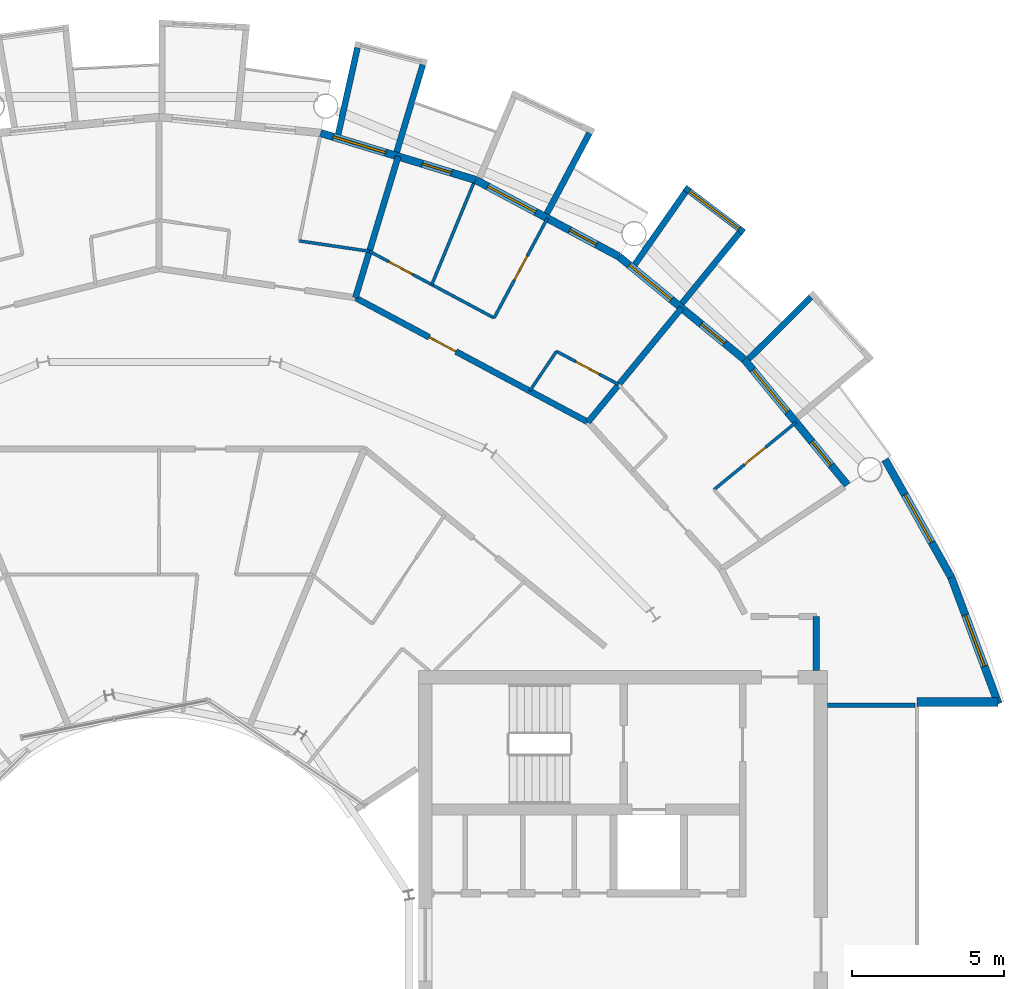
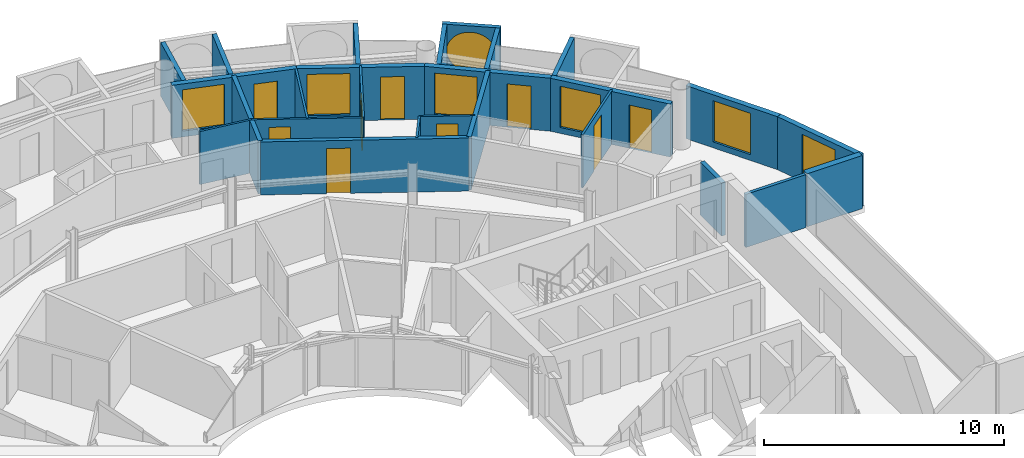
# One storey, part 24 of 29: 26 walls, 9 doors, 7 windows, 16 openings.
"""IFC4 building model written with IfcOpenShell, lengths in metres."""

from ifc_helpers import new_model, si_unit, direction, frame, frame_2d, origin, place, context, subcontext, project, spatial, rectangle, circle, extrude, material, layer, layer_set, type_object, element, fill, save


model = new_model("IFC4")

# Units and contexts
model_context = context("Model", 3, precision=1e-05, world=origin(), true_north=direction((0.0, 1.0)))
body_context = subcontext(model_context, "Body", "Model", "MODEL_VIEW")
ifc_project = project(units=[si_unit("LENGTHUNIT", "METRE"), si_unit("AREAUNIT", "SQUARE_METRE"), si_unit("VOLUMEUNIT", "CUBIC_METRE"), si_unit("PLANEANGLEUNIT", "RADIAN"), si_unit("MASSUNIT", "GRAM", prefix="KILO")], contexts=[model_context])

# Site, building, storey
site_placement = place(None, origin())
site = spatial("IfcSite", under=ifc_project, at=site_placement, CompositionType="ELEMENT")
building_placement = place(site_placement, origin())
building = spatial("IfcBuilding", under=site, at=building_placement, Name="Maasbend Ring Residences", CompositionType="ELEMENT")
storey_placement = place(building_placement, frame((0.0, 0.0, 212.699951171875)))
storey = spatial("IfcBuildingStorey", under=building, at=storey_placement, Name="L61", CompositionType="ELEMENT", Elevation=212.699951171875)

# Wall
ifc_material_1 = material(Name="Concrete C30/37", Category="concrete")
ifc_layer_1 = layer(ifc_material_1, 0.199951171875)
ifc_layer_set_1 = layer_set([ifc_layer_1], Name="Concrete C30/37")
wall_type_1 = type_object("IfcWallType", Name="CORRIDOR WALL 200 CONCRETE", PredefinedType="PARTITIONING", material=ifc_layer_set_1)
wall_1_placement = place(storey_placement, frame((21.675048828125, 9.050048828125, 0.0), z_axis=(0.0, 0.0, 1.0), x_axis=(0.0, 1.0, 0.0)))
element("IfcWall", 1, at=wall_1_placement, inside=storey, type_object=wall_type_1, Name="U-L61-w018", PredefinedType="PARTITIONING", context=body_context, shape_type="SweptSolid", body=[
    extrude(rectangle(XDim=1.77490234375, YDim=0.199951171875, at=frame_2d((0.887451171875, 0.0))), origin(), (0.0, 0.0, 1.0), 2.699951171875),
])

# Wall, opening, door
wall_2_placement = place(storey_placement, frame((6.472900390625, 21.340087890625, 0.0), z_axis=(0.0, 0.0, 1.0), x_axis=(0.881912965532, -0.471412262491, 0.0)))
wall_2 = element("IfcWall", 2, at=wall_2_placement, inside=storey, type_object=wall_type_1, Name="U-L61-w114", PredefinedType="PARTITIONING", context=body_context, shape_type="SweptSolid", body=[
    extrude(rectangle(XDim=8.70166015625, YDim=0.199951171875, at=frame_2d((4.350830078125, 0.0))), origin(), (0.0, 0.0, 1.0), 2.699951171875),
])
opening_1_placement = place(wall_2_placement, frame((2.763916015625, 0.0, 0.0)))
opening_1 = element("IfcOpeningElement", 3, at=opening_1_placement, cuts=wall_2, Name="Opening D-6104", PredefinedType="OPENING", context=body_context, shape_type="SweptSolid", body=[
    extrude(rectangle(XDim=1.0, YDim=2.300048828125, at=frame_2d((0.5, 1.14990234375))), frame((0.0, 0.10986328125, 0.0), z_axis=(0.0, -1.0, 0.0), x_axis=(1.0, 0.0, 0.0)), (0.0, 0.0, 1.0), 0.219970703125),
])
ifc_material_2 = material(Name="Timber, fire-rated, painted", Category="wood")
door_type_1 = type_object("IfcDoorType", Name="FLAT ENTRANCE DOOR 1000 X 2300 FIRE-RATED", OperationType="NOTDEFINED", PredefinedType="DOOR", material=ifc_material_2)
door_1_placement = place(opening_1_placement, origin())
door_1 = element("IfcDoor", 4, at=door_1_placement, inside=storey, type_object=door_type_1, Name="D-6104", OperationType="SINGLE_SWING_LEFT", OverallHeight=2.300048828125, OverallWidth=1.0, PredefinedType="DOOR", context=body_context, shape_type="SweptSolid", body=[
    extrude(rectangle(XDim=1.0, YDim=2.300048828125, at=frame_2d((0.5, 1.14990234375))), frame((0.0, 0.02490234375, 0.0), z_axis=(0.0, -1.0, 0.0), x_axis=(1.0, 0.0, 0.0)), (0.0, 0.0, 1.0), 0.050048828125),
])
fill(opening_1, door_1)

# Wall
ifc_material_3 = material(Name="Pale anodised aluminium panel", Category="aluminium")
ifc_layer_2 = layer(ifc_material_3, 0.199951171875)
ifc_layer_set_2 = layer_set([ifc_layer_2], Name="EW-BOX")
wall_type_2 = type_object("IfcWallType", Name="EW-BOX", PredefinedType="SOLIDWALL", material=ifc_layer_set_2)
wall_3_placement = place(storey_placement, frame((19.449951171875, 19.322998046875, -0.030029296875), z_axis=(0.0, 0.0, 1.0), x_axis=(0.709727076896, 0.704476739375, 0.0)))
element("IfcWall", 5, at=wall_3_placement, inside=storey, type_object=wall_type_2, Name="Box side wall N02 right", PredefinedType="SOLIDWALL", context=body_context, shape_type="SweptSolid", body=[
    extrude(rectangle(XDim=2.883056640625, YDim=0.199951171875, at=frame_2d((1.44140625, 0.0))), origin(), (0.0, 0.0, 1.0), 2.72998046875),
])

# Wall, opening, window
wall_4_placement = place(storey_placement, frame((19.2890625, 23.4970703125, -0.030029296875), z_axis=(0.0, 0.0, 1.0), x_axis=(-0.797887588059, 0.602806268067, 0.0)))
wall_4 = element("IfcWall", 6, at=wall_4_placement, inside=storey, type_object=wall_type_2, Name="Box front N04", PredefinedType="SOLIDWALL", context=body_context, shape_type="SweptSolid", body=[
    extrude(rectangle(XDim=2.446533203125, YDim=0.199951171875, at=frame_2d((1.22314453125, 0.0))), origin(), (0.0, 0.0, 1.0), 2.72998046875),
])
opening_2_placement = place(wall_4_placement, frame((0.182861328125, 0.0, 0.330078125)))
opening_2 = element("IfcOpeningElement", 7, at=opening_2_placement, cuts=wall_4, Name="Opening W-RD", PredefinedType="OPENING", context=body_context, shape_type="SweptSolid", body=[
    extrude(circle(Radius=1.0400390625, at=frame_2d((1.0400390625, 1.0400390625))), frame((0.0, 0.10986328125, 0.0), z_axis=(0.0, -1.0, 0.0), x_axis=(1.0, 0.0, 0.0)), (0.0, 0.0, 1.0), 0.219970703125),
])
ifc_material_4 = material(Name="Aluminium and clear glass", Category="aluminium")
window_type_1 = type_object("IfcWindowType", Name="W-RD", PartitioningType="SINGLE_PANEL", PredefinedType="WINDOW", material=ifc_material_4)
window_1_placement = place(opening_2_placement, origin())
window_1 = element("IfcWindow", 8, at=window_1_placement, inside=storey, type_object=window_type_1, Name="Round window N04", OverallHeight=2.080078125, OverallWidth=2.080078125, PartitioningType="SINGLE_PANEL", PredefinedType="WINDOW", context=body_context, shape_type="SweptSolid", body=[
    extrude(circle(Radius=1.0400390625, at=frame_2d((1.0400390625, 1.0400390625))), frame((0.0, 0.030029296875, 0.0), z_axis=(0.0, -1.0, 0.0), x_axis=(1.0, 0.0, 0.0)), (0.0, 0.0, 1.0), 0.06005859375),
])
fill(opening_2, window_1)

# Walls
wall_5_placement = place(storey_placement, frame((17.24609375, 21.155029296875, -0.030029296875), z_axis=(0.0, 0.0, 1.0), x_axis=(0.631741648902, 0.775179004516, 0.0)))
element("IfcWall", 9, at=wall_5_placement, inside=storey, type_object=wall_type_2, Name="Box side wall N04 left", PredefinedType="SOLIDWALL", context=body_context, shape_type="SweptSolid", body=[
    extrude(rectangle(XDim=3.005859375, YDim=0.199951171875, at=frame_2d((1.5029296875, 0.0))), origin(), (0.0, 0.0, 1.0), 2.72998046875),
])
wall_6_placement = place(storey_placement, frame((15.68798828125, 22.43310546875, -0.030029296875), z_axis=(0.0, 0.0, 1.0), x_axis=(0.573260687834, 0.819373043115, 0.0)))
element("IfcWall", 10, at=wall_6_placement, inside=storey, type_object=wall_type_2, Name="Box side wall N04 right", PredefinedType="SOLIDWALL", context=body_context, shape_type="SweptSolid", body=[
    extrude(rectangle(XDim=2.92529296875, YDim=0.199951171875, at=frame_2d((1.462646484375, 0.0))), origin(), (0.0, 0.0, 1.0), 2.72998046875),
])
wall_7_placement = place(storey_placement, frame((12.787109375, 24.113037109375, -0.030029296875), z_axis=(0.0, 0.0, 1.0), x_axis=(0.468365282436, 0.883534924159, 0.0)))
element("IfcWall", 11, at=wall_7_placement, inside=storey, type_object=wall_type_2, Name="Box side wall N06 left", PredefinedType="SOLIDWALL", context=body_context, shape_type="SweptSolid", body=[
    extrude(rectangle(XDim=3.006103515625, YDim=0.199951171875, at=frame_2d((1.5029296875, 0.0))), origin(), (0.0, 0.0, 1.0), 2.72998046875),
])
wall_8_placement = place(storey_placement, frame((7.8369140625, 26.14404296875, -0.030029296875), z_axis=(0.0, 0.0, 1.0), x_axis=(0.287064767992, 0.957911174889, 0.0)))
element("IfcWall", 12, at=wall_8_placement, inside=storey, type_object=wall_type_2, Name="Box side wall N08 left", PredefinedType="SOLIDWALL", context=body_context, shape_type="SweptSolid", body=[
    extrude(rectangle(XDim=3.00634765625, YDim=0.199951171875, at=frame_2d((1.503173828125, 0.0))), origin(), (0.0, 0.0, 1.0), 2.72998046875),
])
wall_9_placement = place(storey_placement, frame((5.908935546875, 26.72900390625, -0.030029296875), z_axis=(0.0, 0.0, 1.0), x_axis=(0.216409053917, 0.976302781612, 0.0)))
element("IfcWall", 13, at=wall_9_placement, inside=storey, type_object=wall_type_2, Name="Box side wall N08 right", PredefinedType="SOLIDWALL", context=body_context, shape_type="SweptSolid", body=[
    extrude(rectangle(XDim=2.92529296875, YDim=0.199951171875, at=frame_2d((1.462646484375, 0.0))), origin(), (0.0, 0.0, 1.0), 2.72998046875),
])

# Wall, openings, door, window
ifc_material_5 = material(Name="Aluminium clad insulated panel", Category="aluminium")
ifc_layer_3 = layer(ifc_material_5, 0.25)
ifc_layer_set_3 = layer_set([ifc_layer_3], Name="EW-GL")
wall_type_3 = type_object("IfcWallType", Name="EW-GL", PredefinedType="SOLIDWALL", material=ifc_layer_set_3)
wall_10_placement = place(storey_placement, frame((22.698974609375, 15.1669921875, 0.0), z_axis=(0.0, 0.0, 1.0), x_axis=(-0.634382322723, 0.773019449054, 0.0)))
wall_10 = element("IfcWall", 14, at=wall_10_placement, inside=storey, type_object=wall_type_3, Name="External wall N01", PredefinedType="SOLIDWALL", context=body_context, shape_type="SweptSolid", body=[
    extrude(rectangle(XDim=5.351806640625, YDim=0.25, at=frame_2d((2.67578125, 0.0))), origin(), (0.0, 0.0, 1.0), 2.699951171875),
])
opening_3_placement = place(wall_10_placement, frame((0.841064453125, 0.0, 0.0)))
opening_3 = element("IfcOpeningElement", 15, at=opening_3_placement, cuts=wall_10, Name="Opening D-LG", PredefinedType="OPENING", context=body_context, shape_type="SweptSolid", body=[
    extrude(rectangle(XDim=1.0, YDim=2.199951171875, at=frame_2d((0.5, 1.10009765625))), frame((0.0, 0.135009765625, 0.0), z_axis=(0.0, -1.0, 0.0), x_axis=(1.0, 0.0, 0.0)), (0.0, 0.0, 1.0), 0.27001953125),
])
opening_4_placement = place(wall_10_placement, frame((3.110595703125, 0.0, 0.300048828125)))
opening_4 = element("IfcOpeningElement", 16, at=opening_4_placement, cuts=wall_10, Name="Opening W-BX", PredefinedType="OPENING", context=body_context, shape_type="SweptSolid", body=[
    extrude(rectangle(XDim=1.800048828125, YDim=2.10009765625, at=frame_2d((0.89990234375, 1.050048828125))), frame((0.0, 0.135009765625, 0.0), z_axis=(0.0, -1.0, 0.0), x_axis=(1.0, 0.0, 0.0)), (0.0, 0.0, 1.0), 0.27001953125),
])
ifc_material_6 = material(Name="Aluminium and clear glass", Category="aluminium")
door_type_2 = type_object("IfcDoorType", Name="D-LG", OperationType="SINGLE_SWING_LEFT", PredefinedType="DOOR", material=ifc_material_6)
door_2_placement = place(opening_3_placement, origin())
door_2 = element("IfcDoor", 17, at=door_2_placement, inside=storey, type_object=door_type_2, Name="Loggia door N01", OperationType="SINGLE_SWING_LEFT", OverallHeight=2.199951171875, OverallWidth=1.0, PredefinedType="DOOR", context=body_context, shape_type="SweptSolid", body=[
    extrude(rectangle(XDim=1.0, YDim=2.199951171875, at=frame_2d((0.5, 1.10009765625))), frame((0.0, 0.02490234375, 0.0), z_axis=(0.0, -1.0, 0.0), x_axis=(1.0, 0.0, 0.0)), (0.0, 0.0, 1.0), 0.050048828125),
])
fill(opening_3, door_2)
ifc_material_7 = material(Name="Aluminium and clear glass", Category="aluminium")
window_type_2 = type_object("IfcWindowType", Name="W-BX", PartitioningType="DOUBLE_PANEL_VERTICAL", PredefinedType="WINDOW", material=ifc_material_7)
window_2_placement = place(opening_4_placement, origin())
window_2 = element("IfcWindow", 18, at=window_2_placement, inside=storey, type_object=window_type_2, Name="Window N02 room to box", OverallHeight=2.10009765625, OverallWidth=1.800048828125, PartitioningType="SINGLE_PANEL", PredefinedType="WINDOW", context=body_context, shape_type="SweptSolid", body=[
    extrude(rectangle(XDim=1.800048828125, YDim=2.10009765625, at=frame_2d((0.89990234375, 1.050048828125))), frame((0.0, 0.030029296875, 0.0), z_axis=(0.0, -1.0, 0.0), x_axis=(1.0, 0.0, 0.0)), (0.0, 0.0, 1.0), 0.06005859375),
])
fill(opening_4, window_2)

wall_11_placement = place(storey_placement, frame((19.303955078125, 19.303955078125, 0.0), z_axis=(0.0, 0.0, 1.0), x_axis=(-0.773019449054, 0.634382322723, 0.0)))
wall_11 = element("IfcWall", 19, at=wall_11_placement, inside=storey, type_object=wall_type_3, Name="External wall N02", PredefinedType="SOLIDWALL", context=body_context, shape_type="SweptSolid", body=[
    extrude(rectangle(XDim=5.351806640625, YDim=0.25, at=frame_2d((2.67578125, 0.0))), origin(), (0.0, 0.0, 1.0), 2.699951171875),
])
opening_5_placement = place(wall_11_placement, frame((0.841064453125, 0.0, 0.0)))
opening_5 = element("IfcOpeningElement", 20, at=opening_5_placement, cuts=wall_11, Name="Opening D-LG", PredefinedType="OPENING", context=body_context, shape_type="SweptSolid", body=[
    extrude(rectangle(XDim=1.0, YDim=2.199951171875, at=frame_2d((0.5, 1.10009765625))), frame((0.0, 0.135009765625, 0.0), z_axis=(0.0, -1.0, 0.0), x_axis=(1.0, 0.0, 0.0)), (0.0, 0.0, 1.0), 0.27001953125),
])
opening_6_placement = place(wall_11_placement, frame((3.110595703125, 0.0, 0.300048828125)))
opening_6 = element("IfcOpeningElement", 21, at=opening_6_placement, cuts=wall_11, Name="Opening W-BX", PredefinedType="OPENING", context=body_context, shape_type="SweptSolid", body=[
    extrude(rectangle(XDim=1.800048828125, YDim=2.10009765625, at=frame_2d((0.89990234375, 1.050048828125))), frame((0.0, 0.135009765625, 0.0), z_axis=(0.0, -1.0, 0.0), x_axis=(1.0, 0.0, 0.0)), (0.0, 0.0, 1.0), 0.27001953125),
])
door_3_placement = place(opening_5_placement, origin())
door_3 = element("IfcDoor", 22, at=door_3_placement, inside=storey, type_object=door_type_2, Name="Loggia door N03", OperationType="SINGLE_SWING_LEFT", OverallHeight=2.199951171875, OverallWidth=1.0, PredefinedType="DOOR", context=body_context, shape_type="SweptSolid", body=[
    extrude(rectangle(XDim=1.0, YDim=2.199951171875, at=frame_2d((0.5, 1.10009765625))), frame((0.0, 0.02490234375, 0.0), z_axis=(0.0, -1.0, 0.0), x_axis=(1.0, 0.0, 0.0)), (0.0, 0.0, 1.0), 0.050048828125),
])
fill(opening_5, door_3)
window_3_placement = place(opening_6_placement, origin())
window_3 = element("IfcWindow", 23, at=window_3_placement, inside=storey, type_object=window_type_2, Name="Window N04 room to box", OverallHeight=2.10009765625, OverallWidth=1.800048828125, PartitioningType="SINGLE_PANEL", PredefinedType="WINDOW", context=body_context, shape_type="SweptSolid", body=[
    extrude(rectangle(XDim=1.800048828125, YDim=2.10009765625, at=frame_2d((0.89990234375, 1.050048828125))), frame((0.0, 0.030029296875, 0.0), z_axis=(0.0, -1.0, 0.0), x_axis=(1.0, 0.0, 0.0)), (0.0, 0.0, 1.0), 0.06005859375),
])
fill(opening_6, window_3)

wall_12_placement = place(storey_placement, frame((15.1669921875, 22.698974609375, 0.0), z_axis=(0.0, 0.0, 1.0), x_axis=(-0.881915646801, 0.471407246368, 0.0)))
wall_12 = element("IfcWall", 24, at=wall_12_placement, inside=storey, type_object=wall_type_3, Name="External wall N03", PredefinedType="SOLIDWALL", context=body_context, shape_type="SweptSolid", body=[
    extrude(rectangle(XDim=5.35205078125, YDim=0.25, at=frame_2d((2.676025390625, 0.0))), origin(), (0.0, 0.0, 1.0), 2.699951171875),
])
opening_7_placement = place(wall_12_placement, frame((0.841064453125, 0.0, 0.0)))
opening_7 = element("IfcOpeningElement", 25, at=opening_7_placement, cuts=wall_12, Name="Opening D-LG", PredefinedType="OPENING", context=body_context, shape_type="SweptSolid", body=[
    extrude(rectangle(XDim=1.0, YDim=2.199951171875, at=frame_2d((0.5, 1.10009765625))), frame((0.0, 0.135009765625, 0.0), z_axis=(0.0, -1.0, 0.0), x_axis=(1.0, 0.0, 0.0)), (0.0, 0.0, 1.0), 0.27001953125),
])
opening_8_placement = place(wall_12_placement, frame((3.110595703125, 0.0, 0.300048828125)))
opening_8 = element("IfcOpeningElement", 26, at=opening_8_placement, cuts=wall_12, Name="Opening W-BX", PredefinedType="OPENING", context=body_context, shape_type="SweptSolid", body=[
    extrude(rectangle(XDim=1.800048828125, YDim=2.10009765625, at=frame_2d((0.89990234375, 1.050048828125))), frame((0.0, 0.135009765625, 0.0), z_axis=(0.0, -1.0, 0.0), x_axis=(1.0, 0.0, 0.0)), (0.0, 0.0, 1.0), 0.27001953125),
])
door_4_placement = place(opening_7_placement, origin())
door_4 = element("IfcDoor", 27, at=door_4_placement, inside=storey, type_object=door_type_2, Name="Loggia door N05", OperationType="SINGLE_SWING_LEFT", OverallHeight=2.199951171875, OverallWidth=1.0, PredefinedType="DOOR", context=body_context, shape_type="SweptSolid", body=[
    extrude(rectangle(XDim=1.0, YDim=2.199951171875, at=frame_2d((0.5, 1.10009765625))), frame((0.0, 0.02490234375, 0.0), z_axis=(0.0, -1.0, 0.0), x_axis=(1.0, 0.0, 0.0)), (0.0, 0.0, 1.0), 0.050048828125),
])
fill(opening_7, door_4)
window_4_placement = place(opening_8_placement, origin())
window_4 = element("IfcWindow", 28, at=window_4_placement, inside=storey, type_object=window_type_2, Name="Window N06 room to box", OverallHeight=2.10009765625, OverallWidth=1.800048828125, PartitioningType="SINGLE_PANEL", PredefinedType="WINDOW", context=body_context, shape_type="SweptSolid", body=[
    extrude(rectangle(XDim=1.800048828125, YDim=2.10009765625, at=frame_2d((0.89990234375, 1.050048828125))), frame((0.0, 0.030029296875, 0.0), z_axis=(0.0, -1.0, 0.0), x_axis=(1.0, 0.0, 0.0)), (0.0, 0.0, 1.0), 0.06005859375),
])
fill(opening_8, window_4)

wall_13_placement = place(storey_placement, frame((10.447021484375, 25.221923828125, 0.0), z_axis=(0.0, 0.0, 1.0), x_axis=(-0.956965678721, 0.290201119486, 0.0)))
wall_13 = element("IfcWall", 29, at=wall_13_placement, inside=storey, type_object=wall_type_3, Name="External wall N04", PredefinedType="SOLIDWALL", context=body_context, shape_type="SweptSolid", body=[
    extrude(rectangle(XDim=5.351318359375, YDim=0.25, at=frame_2d((2.67578125, 0.0))), origin(), (0.0, 0.0, 1.0), 2.699951171875),
])
opening_9_placement = place(wall_13_placement, frame((0.841064453125, 0.0, 0.0)))
opening_9 = element("IfcOpeningElement", 30, at=opening_9_placement, cuts=wall_13, Name="Opening D-LG", PredefinedType="OPENING", context=body_context, shape_type="SweptSolid", body=[
    extrude(rectangle(XDim=1.0, YDim=2.199951171875, at=frame_2d((0.5, 1.10009765625))), frame((0.0, 0.135009765625, 0.0), z_axis=(0.0, -1.0, 0.0), x_axis=(1.0, 0.0, 0.0)), (0.0, 0.0, 1.0), 0.27001953125),
])
opening_10_placement = place(wall_13_placement, frame((3.110595703125, 0.0, 0.300048828125)))
opening_10 = element("IfcOpeningElement", 31, at=opening_10_placement, cuts=wall_13, Name="Opening W-BX", PredefinedType="OPENING", context=body_context, shape_type="SweptSolid", body=[
    extrude(rectangle(XDim=1.800048828125, YDim=2.10009765625, at=frame_2d((0.89990234375, 1.050048828125))), frame((0.0, 0.135009765625, 0.0), z_axis=(0.0, -1.0, 0.0), x_axis=(1.0, 0.0, 0.0)), (0.0, 0.0, 1.0), 0.27001953125),
])
door_5_placement = place(opening_9_placement, origin())
door_5 = element("IfcDoor", 32, at=door_5_placement, inside=storey, type_object=door_type_2, Name="Loggia door N07", OperationType="SINGLE_SWING_LEFT", OverallHeight=2.199951171875, OverallWidth=1.0, PredefinedType="DOOR", context=body_context, shape_type="SweptSolid", body=[
    extrude(rectangle(XDim=1.0, YDim=2.199951171875, at=frame_2d((0.5, 1.10009765625))), frame((0.0, 0.02490234375, 0.0), z_axis=(0.0, -1.0, 0.0), x_axis=(1.0, 0.0, 0.0)), (0.0, 0.0, 1.0), 0.050048828125),
])
fill(opening_9, door_5)
window_5_placement = place(opening_10_placement, origin())
window_5 = element("IfcWindow", 33, at=window_5_placement, inside=storey, type_object=window_type_2, Name="Window N08 room to box", OverallHeight=2.10009765625, OverallWidth=1.800048828125, PartitioningType="SINGLE_PANEL", PredefinedType="WINDOW", context=body_context, shape_type="SweptSolid", body=[
    extrude(rectangle(XDim=1.800048828125, YDim=2.10009765625, at=frame_2d((0.89990234375, 1.050048828125))), frame((0.0, 0.030029296875, 0.0), z_axis=(0.0, -1.0, 0.0), x_axis=(1.0, 0.0, 0.0)), (0.0, 0.0, 1.0), 0.06005859375),
])
fill(opening_10, window_5)

# Wall, opening, window
ifc_material_8 = material(Name="Aluminium clad insulated panel", Category="aluminium")
ifc_layer_4 = layer(ifc_material_8, 0.25)
ifc_layer_set_4 = layer_set([ifc_layer_4], Name="EW-HORN")
wall_type_4 = type_object("IfcWallType", Name="EW-HORN", PredefinedType="SOLIDWALL", material=ifc_layer_set_4)
wall_14_placement = place(storey_placement, frame((27.681884765625, 7.945068359375, 0.0), z_axis=(0.0, 0.0, 1.0), x_axis=(-0.349247811493, 0.937030397675, 0.0)))
wall_14 = element("IfcWall", 34, at=wall_14_placement, inside=storey, type_object=wall_type_4, Name="Horn wall 1.1", PredefinedType="SOLIDWALL", context=body_context, shape_type="SweptSolid", body=[
    extrude(rectangle(XDim=4.4521484375, YDim=0.25, at=frame_2d((2.22607421875, 0.0))), origin(), (0.0, 0.0, 1.0), 2.699951171875),
])
opening_11_placement = place(wall_14_placement, frame((1.32666015625, 0.0, 0.300048828125)))
opening_11 = element("IfcOpeningElement", 35, at=opening_11_placement, cuts=wall_14, Name="Opening W-BX", PredefinedType="OPENING", context=body_context, shape_type="SweptSolid", body=[
    extrude(rectangle(XDim=1.800048828125, YDim=2.10009765625, at=frame_2d((0.89990234375, 1.050048828125))), frame((0.0, 0.135009765625, 0.0), z_axis=(0.0, -1.0, 0.0), x_axis=(1.0, 0.0, 0.0)), (0.0, 0.0, 1.0), 0.27001953125),
])
window_6_placement = place(opening_11_placement, origin())
window_6 = element("IfcWindow", 36, at=window_6_placement, inside=storey, type_object=window_type_2, Name="Horn window 1.1", OverallHeight=2.10009765625, OverallWidth=1.800048828125, PartitioningType="SINGLE_PANEL", PredefinedType="WINDOW", context=body_context, shape_type="SweptSolid", body=[
    extrude(rectangle(XDim=1.800048828125, YDim=2.10009765625, at=frame_2d((0.89990234375, 1.050048828125))), frame((0.0, 0.030029296875, 0.0), z_axis=(0.0, -1.0, 0.0), x_axis=(1.0, 0.0, 0.0)), (0.0, 0.0, 1.0), 0.06005859375),
])
fill(opening_11, window_6)

wall_15_placement = place(storey_placement, frame((26.126953125, 12.116943359375, 0.0), z_axis=(0.0, 0.0, 1.0), x_axis=(-0.489696356642, 0.871893042919, 0.0)))
wall_15 = element("IfcWall", 37, at=wall_15_placement, inside=storey, type_object=wall_type_4, Name="Horn wall 1.2", PredefinedType="SOLIDWALL", context=body_context, shape_type="SweptSolid", body=[
    extrude(rectangle(XDim=4.45361328125, YDim=0.25, at=frame_2d((2.226806640625, 0.0))), origin(), (0.0, 0.0, 1.0), 2.699951171875),
])
opening_12_placement = place(wall_15_placement, frame((1.32666015625, 0.0, 0.300048828125)))
opening_12 = element("IfcOpeningElement", 38, at=opening_12_placement, cuts=wall_15, Name="Opening W-BX", PredefinedType="OPENING", context=body_context, shape_type="SweptSolid", body=[
    extrude(rectangle(XDim=1.800048828125, YDim=2.10009765625, at=frame_2d((0.89990234375, 1.050048828125))), frame((0.0, 0.135009765625, 0.0), z_axis=(0.0, -1.0, 0.0), x_axis=(1.0, 0.0, 0.0)), (0.0, 0.0, 1.0), 0.27001953125),
])
window_7_placement = place(opening_12_placement, origin())
window_7 = element("IfcWindow", 39, at=window_7_placement, inside=storey, type_object=window_type_2, Name="Horn window 1.2", OverallHeight=2.10009765625, OverallWidth=1.800048828125, PartitioningType="SINGLE_PANEL", PredefinedType="WINDOW", context=body_context, shape_type="SweptSolid", body=[
    extrude(rectangle(XDim=1.800048828125, YDim=2.10009765625, at=frame_2d((0.89990234375, 1.050048828125))), frame((0.0, 0.030029296875, 0.0), z_axis=(0.0, -1.0, 0.0), x_axis=(1.0, 0.0, 0.0)), (0.0, 0.0, 1.0), 0.06005859375),
])
fill(opening_12, window_7)

# Walls
ifc_material_9 = material(Name="Aluminium clad insulated panel", Category="aluminium")
ifc_layer_5 = layer(ifc_material_9, 0.300048828125)
ifc_layer_set_5 = layer_set([ifc_layer_5], Name="EW-RET")
wall_type_5 = type_object("IfcWallType", Name="EW-RET", PredefinedType="SOLIDWALL", material=ifc_layer_set_5)
wall_16_placement = place(storey_placement, frame((25.0, 8.0, 0.0), z_axis=(0.0, 0.0, 1.0), x_axis=(1.0, 0.0, 0.0)))
element("IfcWall", 40, at=wall_16_placement, inside=storey, type_object=wall_type_5, Name="Notch return wall east north", PredefinedType="SOLIDWALL", context=body_context, shape_type="SweptSolid", body=[
    extrude(rectangle(XDim=2.6669921875, YDim=0.300048828125, at=frame_2d((1.33349609375, 0.0))), origin(), (0.0, 0.0, 1.0), 2.699951171875),
])
ifc_material_10 = material(Name="Gypsum board on steel studs", Category="steel")
ifc_layer_6 = layer(ifc_material_10, 0.10009765625)
ifc_layer_set_6 = layer_set([ifc_layer_6], Name="PARTITION 100 GYPSUM")
wall_type_6 = type_object("IfcWallType", Name="PARTITION 100 GYPSUM", PredefinedType="PARTITIONING", material=ifc_layer_set_6)
wall_17_placement = place(storey_placement, frame((8.993896484375, 21.77197265625, 0.0), z_axis=(0.0, 0.0, 1.0), x_axis=(0.381733837918, 0.924272295911, 0.0)))
element("IfcWall", 41, at=wall_17_placement, inside=storey, type_object=wall_type_6, Name="U-L61-w083", PredefinedType="PARTITIONING", context=body_context, shape_type="SweptSolid", body=[
    extrude(rectangle(XDim=3.617919921875, YDim=0.10009765625, at=frame_2d((1.80908203125, 0.0))), origin(), (0.0, 0.0, 1.0), 2.699951171875),
])

# Wall, opening, door
wall_18_placement = place(storey_placement, frame((11.050048828125, 20.673095703125, 0.0), z_axis=(0.0, 0.0, 1.0), x_axis=(0.471372010014, 0.881934480659, 0.0)))
wall_18 = element("IfcWall", 42, at=wall_18_placement, inside=storey, type_object=wall_type_6, Name="U-L61-w087", PredefinedType="PARTITIONING", context=body_context, shape_type="SweptSolid", body=[
    extrude(rectangle(XDim=3.73388671875, YDim=0.10009765625, at=frame_2d((1.866943359375, 0.0))), origin(), (0.0, 0.0, 1.0), 2.699951171875),
])
opening_13_placement = place(wall_18_placement, frame((1.4169921875, 0.0, 0.0)))
opening_13 = element("IfcOpeningElement", 43, at=opening_13_placement, cuts=wall_18, Name="Opening D-6106", PredefinedType="OPENING", context=body_context, shape_type="SweptSolid", body=[
    extrude(rectangle(XDim=0.89990234375, YDim=2.300048828125, at=frame_2d((0.449951171875, 1.14990234375))), frame((0.0, 0.06005859375, 0.0), z_axis=(0.0, -1.0, 0.0), x_axis=(1.0, 0.0, 0.0)), (0.0, 0.0, 1.0), 0.1201171875),
])
ifc_material_11 = material(Name="Timber, painted", Category="wood")
door_type_3 = type_object("IfcDoorType", Name="INTERNAL DOOR 900 X 2300", OperationType="NOTDEFINED", PredefinedType="DOOR", material=ifc_material_11)
door_6_placement = place(opening_13_placement, origin())
door_6 = element("IfcDoor", 44, at=door_6_placement, inside=storey, type_object=door_type_3, Name="D-6106", OperationType="SINGLE_SWING_LEFT", OverallHeight=2.300048828125, OverallWidth=0.89990234375, PredefinedType="DOOR", context=body_context, shape_type="SweptSolid", body=[
    extrude(rectangle(XDim=0.89990234375, YDim=2.300048828125, at=frame_2d((0.449951171875, 1.14990234375))), frame((0.0, 0.02490234375, 0.0), z_axis=(0.0, -1.0, 0.0), x_axis=(1.0, 0.0, 0.0)), (0.0, 0.0, 1.0), 0.050048828125),
])
fill(opening_13, door_6)

# Wall
wall_19_placement = place(storey_placement, frame((12.22900390625, 18.263916015625, 0.0), z_axis=(0.0, 0.0, 1.0), x_axis=(0.556271671389, 0.83100049796, 0.0)))
element("IfcWall", 45, at=wall_19_placement, inside=storey, type_object=wall_type_6, Name="U-L61-w089", PredefinedType="PARTITIONING", context=body_context, shape_type="SweptSolid", body=[
    extrude(rectangle(XDim=1.576416015625, YDim=0.10009765625, at=frame_2d((0.7880859375, 0.0))), origin(), (0.0, 0.0, 1.0), 2.699951171875),
])

# Wall, opening, door
wall_20_placement = place(storey_placement, frame((18.302001953125, 15.010009765625, 0.0), z_axis=(0.0, 0.0, 1.0), x_axis=(0.773165322764, 0.634204528267, 0.0)))
wall_20 = element("IfcWall", 46, at=wall_20_placement, inside=storey, type_object=wall_type_6, Name="U-L61-w094", PredefinedType="PARTITIONING", context=body_context, shape_type="SweptSolid", body=[
    extrude(rectangle(XDim=3.505126953125, YDim=0.10009765625, at=frame_2d((1.75244140625, 0.0))), origin(), (0.0, 0.0, 1.0), 2.699951171875),
])
opening_14_placement = place(wall_20_placement, frame((1.302978515625, 0.0, 0.0)))
opening_14 = element("IfcOpeningElement", 47, at=opening_14_placement, cuts=wall_20, Name="Opening D-6103", PredefinedType="OPENING", context=body_context, shape_type="SweptSolid", body=[
    extrude(rectangle(XDim=0.89990234375, YDim=2.300048828125, at=frame_2d((0.449951171875, 1.14990234375))), frame((0.0, 0.06005859375, 0.0), z_axis=(0.0, -1.0, 0.0), x_axis=(1.0, 0.0, 0.0)), (0.0, 0.0, 1.0), 0.1201171875),
])
door_7_placement = place(opening_14_placement, origin())
door_7 = element("IfcDoor", 48, at=door_7_placement, inside=storey, type_object=door_type_3, Name="D-6103", OperationType="SINGLE_SWING_RIGHT", OverallHeight=2.300048828125, OverallWidth=0.89990234375, PredefinedType="DOOR", context=body_context, shape_type="SweptSolid", body=[
    extrude(rectangle(XDim=0.89990234375, YDim=2.300048828125, at=frame_2d((0.449951171875, 1.14990234375))), frame((0.0, 0.02490234375, 0.0), z_axis=(0.0, -1.0, 0.0), x_axis=(1.0, 0.0, 0.0)), (0.0, 0.0, 1.0), 0.050048828125),
])
fill(opening_14, door_7)

wall_21_placement = place(storey_placement, frame((6.93798828125, 22.87109375, 0.0), z_axis=(0.0, 0.0, 1.0), x_axis=(0.881916280728, -0.471406060405, 0.0)))
wall_21 = element("IfcWall", 49, at=wall_21_placement, inside=storey, type_object=wall_type_6, Name="U-L61-w123", PredefinedType="PARTITIONING", context=body_context, shape_type="SweptSolid", body=[
    extrude(rectangle(XDim=4.66259765625, YDim=0.10009765625, at=frame_2d((2.331298828125, 0.0))), origin(), (0.0, 0.0, 1.0), 2.699951171875),
])
opening_15_placement = place(wall_21_placement, frame((0.716064453125, 0.0, 0.0)))
opening_15 = element("IfcOpeningElement", 50, at=opening_15_placement, cuts=wall_21, Name="Opening D-6107", PredefinedType="OPENING", context=body_context, shape_type="SweptSolid", body=[
    extrude(rectangle(XDim=0.89990234375, YDim=2.300048828125, at=frame_2d((0.449951171875, 1.14990234375))), frame((0.0, 0.06005859375, 0.0), z_axis=(0.0, -1.0, 0.0), x_axis=(1.0, 0.0, 0.0)), (0.0, 0.0, 1.0), 0.1201171875),
])
door_8_placement = place(opening_15_placement, origin())
door_8 = element("IfcDoor", 51, at=door_8_placement, inside=storey, type_object=door_type_3, Name="D-6107", OperationType="SINGLE_SWING_LEFT", OverallHeight=2.300048828125, OverallWidth=0.89990234375, PredefinedType="DOOR", context=body_context, shape_type="SweptSolid", body=[
    extrude(rectangle(XDim=0.89990234375, YDim=2.300048828125, at=frame_2d((0.449951171875, 1.14990234375))), frame((0.0, 0.02490234375, 0.0), z_axis=(0.0, -1.0, 0.0), x_axis=(1.0, 0.0, 0.0)), (0.0, 0.0, 1.0), 0.050048828125),
])
fill(opening_15, door_8)

wall_22_placement = place(storey_placement, frame((13.10595703125, 19.573974609375, 0.0), z_axis=(0.0, 0.0, 1.0), x_axis=(0.881949682246, -0.471343566824, 0.0)))
wall_22 = element("IfcWall", 52, at=wall_22_placement, inside=storey, type_object=wall_type_6, Name="U-L61-w124", PredefinedType="PARTITIONING", context=body_context, shape_type="SweptSolid", body=[
    extrude(rectangle(XDim=2.331298828125, YDim=0.10009765625, at=frame_2d((1.16552734375, 0.0))), origin(), (0.0, 0.0, 1.0), 2.699951171875),
])
opening_16_placement = place(wall_22_placement, frame((0.716064453125, 0.0, 0.0)))
opening_16 = element("IfcOpeningElement", 53, at=opening_16_placement, cuts=wall_22, Name="Opening D-6105", PredefinedType="OPENING", context=body_context, shape_type="SweptSolid", body=[
    extrude(rectangle(XDim=0.89990234375, YDim=2.300048828125, at=frame_2d((0.449951171875, 1.14990234375))), frame((0.0, 0.06005859375, 0.0), z_axis=(0.0, -1.0, 0.0), x_axis=(1.0, 0.0, 0.0)), (0.0, 0.0, 1.0), 0.1201171875),
])
door_9_placement = place(opening_16_placement, origin())
door_9 = element("IfcDoor", 54, at=door_9_placement, inside=storey, type_object=door_type_3, Name="D-6105", OperationType="SINGLE_SWING_LEFT", OverallHeight=2.300048828125, OverallWidth=0.89990234375, PredefinedType="DOOR", context=body_context, shape_type="SweptSolid", body=[
    extrude(rectangle(XDim=0.89990234375, YDim=2.300048828125, at=frame_2d((0.449951171875, 1.14990234375))), frame((0.0, 0.02490234375, 0.0), z_axis=(0.0, -1.0, 0.0), x_axis=(1.0, 0.0, 0.0)), (0.0, 0.0, 1.0), 0.050048828125),
])
fill(opening_16, door_9)

# Walls
wall_23_placement = place(storey_placement, frame((4.625, 23.214111328125, 0.0), z_axis=(0.0, 0.0, 1.0), x_axis=(0.989181588285, -0.146696235121, 0.0)))
element("IfcWall", 55, at=wall_23_placement, inside=storey, type_object=wall_type_6, Name="U-L61-w126", PredefinedType="PARTITIONING", context=body_context, shape_type="SweptSolid", body=[
    extrude(rectangle(XDim=2.33837890625, YDim=0.10009765625, at=frame_2d((1.169189453125, 0.0))), origin(), (0.0, 0.0, 1.0), 2.699951171875),
])
ifc_material_12 = material(Name="Gypsum board on steel studs", Category="steel")
ifc_layer_7 = layer(ifc_material_12, 0.14990234375)
ifc_layer_set_7 = layer_set([ifc_layer_7], Name="PARTITION 150 EI 60")
wall_type_7 = type_object("IfcWallType", Name="PARTITION 150 EI 60", PredefinedType="PARTITIONING", material=ifc_layer_set_7)
wall_24_placement = place(storey_placement, frame((22.050048828125, 7.89990234375, 0.0), z_axis=(0.0, 0.0, 1.0), x_axis=(1.0, 0.0, 0.0)))
element("IfcWall", 56, at=wall_24_placement, inside=storey, type_object=wall_type_7, Name="L61 core E wall CITN", PredefinedType="PARTITIONING", context=body_context, shape_type="SweptSolid", body=[
    extrude(rectangle(XDim=2.889892578125, YDim=0.14990234375, at=frame_2d((1.44482421875, 0.0))), origin(), (0.0, 0.0, 1.0), 2.699951171875),
])
ifc_material_13 = material(Name="Concrete C30/37", Category="concrete")
ifc_layer_8 = layer(ifc_material_13, 0.199951171875)
ifc_layer_set_8 = layer_set([ifc_layer_8], Name="Concrete C30/37")
wall_type_8 = type_object("IfcWallType", Name="PARTY WALL 200 CONCRETE", PredefinedType="PARTITIONING", material=ifc_layer_set_8)
wall_25_placement = place(storey_placement, frame((6.47412109375, 21.340087890625, 0.0), z_axis=(0.0, 0.0, 1.0), x_axis=(0.290053269332, 0.957010502006, 0.0)))
element("IfcWall", 57, at=wall_25_placement, inside=storey, type_object=wall_type_8, Name="U-L61-w079", PredefinedType="PARTITIONING", context=body_context, shape_type="SweptSolid", body=[
    extrude(rectangle(XDim=4.874267578125, YDim=0.199951171875, at=frame_2d((2.43701171875, 0.0))), origin(), (0.0, 0.0, 1.0), 2.699951171875),
])
wall_26_placement = place(storey_placement, frame((14.14697265625, 17.238037109375, 0.0), z_axis=(0.0, 0.0, 1.0), x_axis=(0.634374159378, 0.773026148273, 0.0)))
element("IfcWall", 58, at=wall_26_placement, inside=storey, type_object=wall_type_8, Name="U-L61-w091", PredefinedType="PARTITIONING", context=body_context, shape_type="SweptSolid", body=[
    extrude(rectangle(XDim=4.875732421875, YDim=0.199951171875, at=frame_2d((2.43798828125, 0.0))), origin(), (0.0, 0.0, 1.0), 2.699951171875),
])

save(model, "model.ifc")
